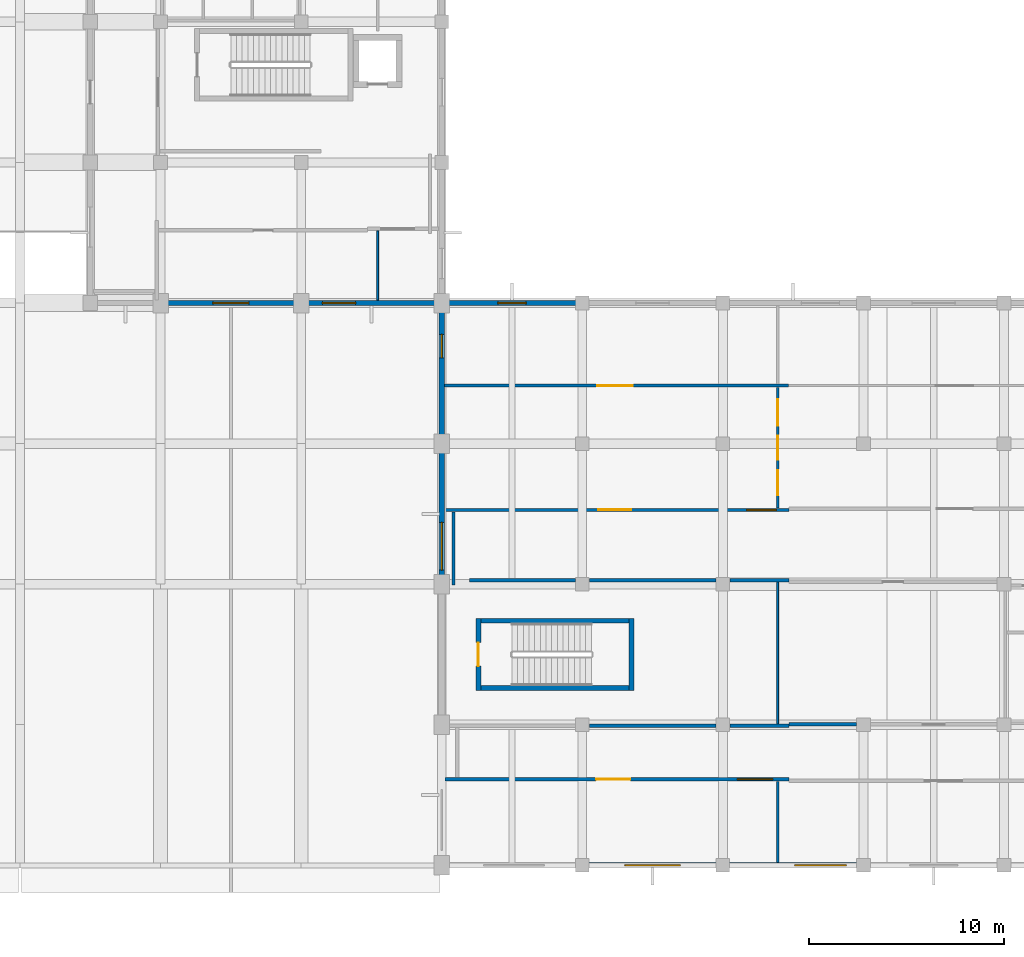
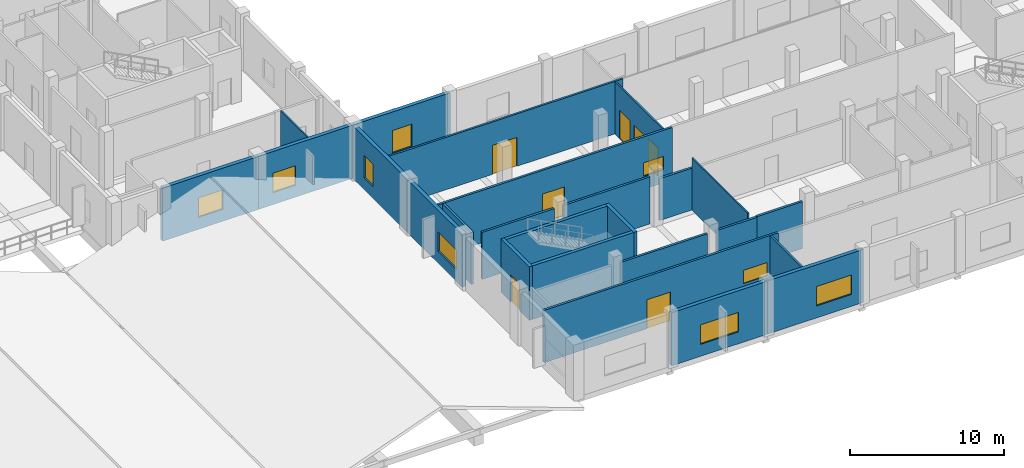
# One storey, part 9 of 24: 25 walls, 9 windows, 7 doors, 16 openings.
"""IFC4 building model written with IfcOpenShell, lengths in metres."""

from ifc_helpers import new_model, si_unit, direction, frame, frame_2d, origin, place, context, subcontext, project, spatial, rectangle, extrude, material, layer, layer_set, type_object, element, fill, save


model = new_model("IFC4")

# Units and contexts
model_context = context("Model", 3, precision=1e-05, world=origin(), true_north=direction((0.0, 1.0)))
body_context = subcontext(model_context, "Body", "Model", "MODEL_VIEW")
ifc_project = project(units=[si_unit("LENGTHUNIT", "METRE"), si_unit("AREAUNIT", "SQUARE_METRE"), si_unit("VOLUMEUNIT", "CUBIC_METRE"), si_unit("PLANEANGLEUNIT", "RADIAN"), si_unit("MASSUNIT", "GRAM", prefix="KILO")], contexts=[model_context])

# Site, building, storey
site_placement = place(None, origin())
site = spatial("IfcSite", under=ifc_project, at=site_placement, CompositionType="ELEMENT")
building_placement = place(site_placement, origin())
building = spatial("IfcBuilding", under=site, at=building_placement, Name="Seraya Terrace Polytechnic", CompositionType="ELEMENT")
storey_placement = place(building_placement, frame((0.0, 0.0, 18.89990234375)))
storey = spatial("IfcBuildingStorey", under=building, at=storey_placement, Name="L04", CompositionType="ELEMENT", Elevation=18.89990234375)

# Wall, opening, window
ifc_material_1 = material(Name="Precast concrete C40/50", Category="concrete")
ifc_layer_1 = layer(ifc_material_1, 0.280029296875, Name="EW-02")
ifc_layer_set_1 = layer_set([ifc_layer_1], Name="Precast concrete C40/50")
wall_type_1 = type_object("IfcWallType", Name="EW-02", PredefinedType="SOLIDWALL", material=ifc_layer_set_1)
wall_1_placement = place(storey_placement, frame((64.800048828125, 0.0, 0.0), z_axis=(0.0, 0.0, 1.0), x_axis=(-1.0, 0.0, 0.0)))
wall_1 = element("IfcWall", 1, at=wall_1_placement, inside=storey, type_object=wall_type_1, Name="Exterior structural wall EW-02 L04", PredefinedType="SOLIDWALL", context=body_context, shape_type="SweptSolid", body=[
    extrude(rectangle(XDim=7.199951171875, YDim=0.280029296875, at=frame_2d((3.60009765625, 0.0))), origin(), (0.0, 0.0, 1.0), 4.22021484375),
])
opening_1_placement = place(wall_1_placement, frame((0.8798828125, 0.0, 0.949951171875)))
opening_1 = element("IfcOpeningElement", 2, at=opening_1_placement, cuts=wall_1, Name="Opening WN-22", PredefinedType="OPENING", context=body_context, shape_type="SweptSolid", body=[
    extrude(rectangle(XDim=2.64990234375, YDim=1.550048828125, at=frame_2d((1.324951171875, 0.77490234375))), frame((0.0, 0.15185546875, 0.0), z_axis=(0.0, -1.0, 0.0), x_axis=(1.0, 0.0, 0.0)), (0.0, 0.0, 1.0), 0.303955078125),
])
ifc_material_2 = material(Name="Laminated solar-control Low-E double glazing", Category="glass")
window_type_1 = type_object("IfcWindowType", Name="WN-22", PartitioningType="SINGLE_PANEL", PredefinedType="WINDOW", material=ifc_material_2)
window_1_placement = place(opening_1_placement, origin())
window_1 = element("IfcWindow", 3, at=window_1_placement, inside=storey, type_object=window_type_1, Name="Exterior window WN-22 L04", OverallHeight=1.550048828125, OverallWidth=2.64990234375, PartitioningType="SINGLE_PANEL", PredefinedType="WINDOW", context=body_context, shape_type="SweptSolid", body=[
    extrude(rectangle(XDim=2.64990234375, YDim=1.550048828125, at=frame_2d((1.324951171875, 0.77490234375))), frame((0.0, 0.030029296875, 0.0), z_axis=(0.0, -1.0, 0.0), x_axis=(1.0, 0.0, 0.0)), (0.0, 0.0, 1.0), 0.06005859375),
])
fill(opening_1, window_1)

wall_2_placement = place(storey_placement, frame((57.60009765625, 0.0, 0.0), z_axis=(0.0, 0.0, 1.0), x_axis=(-1.0, 0.0, 0.0)))
wall_2 = element("IfcWall", 4, at=wall_2_placement, inside=storey, type_object=wall_type_1, Name="Exterior structural wall EW-02 L04", PredefinedType="SOLIDWALL", context=body_context, shape_type="SweptSolid", body=[
    extrude(rectangle(XDim=7.2001953125, YDim=0.280029296875, at=frame_2d((3.60009765625, 0.0))), origin(), (0.0, 0.0, 1.0), 4.22021484375),
])
opening_2_placement = place(wall_2_placement, frame((2.175048828125, 0.0, 0.949951171875)))
opening_2 = element("IfcOpeningElement", 5, at=opening_2_placement, cuts=wall_2, Name="Opening WN-23", PredefinedType="OPENING", context=body_context, shape_type="SweptSolid", body=[
    extrude(rectangle(XDim=2.85009765625, YDim=1.550048828125, at=frame_2d((1.425048828125, 0.77490234375))), frame((0.0, 0.15185546875, 0.0), z_axis=(0.0, -1.0, 0.0), x_axis=(1.0, 0.0, 0.0)), (0.0, 0.0, 1.0), 0.303955078125),
])
window_type_2 = type_object("IfcWindowType", Name="WN-23", PartitioningType="SINGLE_PANEL", PredefinedType="WINDOW", material=ifc_material_2)
window_2_placement = place(opening_2_placement, origin())
window_2 = element("IfcWindow", 6, at=window_2_placement, inside=storey, type_object=window_type_2, Name="Exterior window WN-23 L04", OverallHeight=1.550048828125, OverallWidth=2.85009765625, PartitioningType="SINGLE_PANEL", PredefinedType="WINDOW", context=body_context, shape_type="SweptSolid", body=[
    extrude(rectangle(XDim=2.85009765625, YDim=1.550048828125, at=frame_2d((1.425048828125, 0.77490234375))), frame((0.0, 0.030029296875, 0.0), z_axis=(0.0, -1.0, 0.0), x_axis=(1.0, 0.0, 0.0)), (0.0, 0.0, 1.0), 0.06005859375),
])
fill(opening_2, window_2)

wall_3_placement = place(storey_placement, frame((43.199951171875, 14.39990234375, 0.0), z_axis=(0.0, 0.0, 1.0), x_axis=(0.0, 1.0, 0.0)))
wall_3 = element("IfcWall", 7, at=wall_3_placement, inside=storey, type_object=wall_type_1, Name="Exterior structural wall EW-02 L04", PredefinedType="SOLIDWALL", context=body_context, shape_type="SweptSolid", body=[
    extrude(rectangle(XDim=7.2001953125, YDim=0.280029296875, at=frame_2d((3.60009765625, 0.0))), origin(), (0.0, 0.0, 1.0), 4.22021484375),
])
opening_3_placement = place(wall_3_placement, frame((0.715087890625, 0.0, 0.949951171875)))
opening_3 = element("IfcOpeningElement", 8, at=opening_3_placement, cuts=wall_3, Name="Opening WN-21", PredefinedType="OPENING", context=body_context, shape_type="SweptSolid", body=[
    extrude(rectangle(XDim=2.449951171875, YDim=1.550048828125, at=frame_2d((1.22509765625, 0.77490234375))), frame((0.0, 0.15185546875, 0.0), z_axis=(0.0, -1.0, 0.0), x_axis=(1.0, 0.0, 0.0)), (0.0, 0.0, 1.0), 0.303955078125),
])
window_type_3 = type_object("IfcWindowType", Name="WN-21", PartitioningType="SINGLE_PANEL", PredefinedType="WINDOW", material=ifc_material_2)
window_3_placement = place(opening_3_placement, origin())
window_3 = element("IfcWindow", 9, at=window_3_placement, inside=storey, type_object=window_type_3, Name="Exterior window WN-21 L04", OverallHeight=1.550048828125, OverallWidth=2.449951171875, PartitioningType="SINGLE_PANEL", PredefinedType="WINDOW", context=body_context, shape_type="SweptSolid", body=[
    extrude(rectangle(XDim=2.449951171875, YDim=1.550048828125, at=frame_2d((1.22509765625, 0.77490234375))), frame((0.0, 0.030029296875, 0.0), z_axis=(0.0, -1.0, 0.0), x_axis=(1.0, 0.0, 0.0)), (0.0, 0.0, 1.0), 0.06005859375),
])
fill(opening_3, window_3)

wall_4_placement = place(storey_placement, frame((43.199951171875, 21.60009765625, 0.0), z_axis=(0.0, 0.0, 1.0), x_axis=(0.0, 1.0, 0.0)))
wall_4 = element("IfcWall", 10, at=wall_4_placement, inside=storey, type_object=wall_type_1, Name="Exterior structural wall EW-02 L04", PredefinedType="SOLIDWALL", context=body_context, shape_type="SweptSolid", body=[
    extrude(rectangle(XDim=7.033935546875, YDim=0.280029296875, at=frame_2d((3.51708984375, 0.0))), origin(), (0.0, 0.0, 1.0), 4.22021484375),
])
opening_4_placement = place(wall_4_placement, frame((4.393798828125, 0.0, 0.949951171875)))
opening_4 = element("IfcOpeningElement", 11, at=opening_4_placement, cuts=wall_4, Name="Opening WN-27", PredefinedType="OPENING", context=body_context, shape_type="SweptSolid", body=[
    extrude(rectangle(XDim=1.199951171875, YDim=1.800048828125, at=frame_2d((0.60009765625, 0.89990234375))), frame((0.0, 0.15185546875, 0.0), z_axis=(0.0, -1.0, 0.0), x_axis=(1.0, 0.0, 0.0)), (0.0, 0.0, 1.0), 0.303955078125),
])
window_type_4 = type_object("IfcWindowType", Name="WN-27", PartitioningType="SINGLE_PANEL", PredefinedType="WINDOW", material=ifc_material_2)
window_4_placement = place(opening_4_placement, origin())
window_4 = element("IfcWindow", 12, at=window_4_placement, inside=storey, type_object=window_type_4, Name="Exterior window WN-27 L04", OverallHeight=1.800048828125, OverallWidth=1.199951171875, PartitioningType="SINGLE_PANEL", PredefinedType="WINDOW", context=body_context, shape_type="SweptSolid", body=[
    extrude(rectangle(XDim=1.199951171875, YDim=1.800048828125, at=frame_2d((0.60009765625, 0.89990234375))), frame((0.0, 0.030029296875, 0.0), z_axis=(0.0, -1.0, 0.0), x_axis=(1.0, 0.0, 0.0)), (0.0, 0.0, 1.0), 0.06005859375),
])
fill(opening_4, window_4)

wall_5_placement = place(storey_placement, frame((43.199951171875, 28.800048828125, 0.0), z_axis=(0.0, 0.0, 1.0), x_axis=(1.0, 0.0, 0.0)))
wall_5 = element("IfcWall", 13, at=wall_5_placement, inside=storey, type_object=wall_type_1, Name="Exterior structural wall EW-02 L04", PredefinedType="SOLIDWALL", context=body_context, shape_type="SweptSolid", body=[
    extrude(rectangle(XDim=7.199951171875, YDim=0.280029296875, at=frame_2d((3.60009765625, 0.0))), origin(), (0.0, 0.0, 1.0), 4.22021484375),
])
opening_5_placement = place(wall_5_placement, frame((2.875, 0.0, 0.949951171875)))
opening_5 = element("IfcOpeningElement", 14, at=opening_5_placement, cuts=wall_5, Name="Opening WN-28", PredefinedType="OPENING", context=body_context, shape_type="SweptSolid", body=[
    extrude(rectangle(XDim=1.449951171875, YDim=1.800048828125, at=frame_2d((0.72509765625, 0.89990234375))), frame((0.0, 0.15185546875, 0.0), z_axis=(0.0, -1.0, 0.0), x_axis=(1.0, 0.0, 0.0)), (0.0, 0.0, 1.0), 0.303955078125),
])
window_type_5 = type_object("IfcWindowType", Name="WN-28", PartitioningType="SINGLE_PANEL", PredefinedType="WINDOW", material=ifc_material_2)
window_5_placement = place(opening_5_placement, origin())
window_5 = element("IfcWindow", 15, at=window_5_placement, inside=storey, type_object=window_type_5, Name="Exterior window WN-28 L04", OverallHeight=1.800048828125, OverallWidth=1.449951171875, PartitioningType="SINGLE_PANEL", PredefinedType="WINDOW", context=body_context, shape_type="SweptSolid", body=[
    extrude(rectangle(XDim=1.449951171875, YDim=1.800048828125, at=frame_2d((0.72509765625, 0.89990234375))), frame((0.0, 0.030029296875, 0.0), z_axis=(0.0, -1.0, 0.0), x_axis=(1.0, 0.0, 0.0)), (0.0, 0.0, 1.0), 0.06005859375),
])
fill(opening_5, window_5)

wall_6_placement = place(storey_placement, frame((43.199951171875, 28.800048828125, 0.0), z_axis=(0.0, 0.0, 1.0), x_axis=(-1.0, 0.0, 0.0)))
wall_6 = element("IfcWall", 16, at=wall_6_placement, inside=storey, type_object=wall_type_1, Name="Exterior structural wall EW-02 L04", PredefinedType="SOLIDWALL", context=body_context, shape_type="SweptSolid", body=[
    extrude(rectangle(XDim=7.199951171875, YDim=0.280029296875, at=frame_2d((3.60009765625, 0.0))), origin(), (0.0, 0.0, 1.0), 4.22021484375),
])
opening_6_placement = place(wall_6_placement, frame((4.409912109375, 0.0, 0.949951171875)))
opening_6 = element("IfcOpeningElement", 17, at=opening_6_placement, cuts=wall_6, Name="Opening WN-17", PredefinedType="OPENING", context=body_context, shape_type="SweptSolid", body=[
    extrude(rectangle(XDim=1.699951171875, YDim=1.550048828125, at=frame_2d((0.85009765625, 0.77490234375))), frame((0.0, 0.15185546875, 0.0), z_axis=(0.0, -1.0, 0.0), x_axis=(1.0, 0.0, 0.0)), (0.0, 0.0, 1.0), 0.303955078125),
])
window_type_6 = type_object("IfcWindowType", Name="WN-17", PartitioningType="SINGLE_PANEL", PredefinedType="WINDOW", material=ifc_material_2)
window_6_placement = place(opening_6_placement, origin())
window_6 = element("IfcWindow", 18, at=window_6_placement, inside=storey, type_object=window_type_6, Name="Exterior window WN-17 L04", OverallHeight=1.550048828125, OverallWidth=1.699951171875, PartitioningType="SINGLE_PANEL", PredefinedType="WINDOW", context=body_context, shape_type="SweptSolid", body=[
    extrude(rectangle(XDim=1.699951171875, YDim=1.550048828125, at=frame_2d((0.85009765625, 0.77490234375))), frame((0.0, 0.030029296875, 0.0), z_axis=(0.0, -1.0, 0.0), x_axis=(1.0, 0.0, 0.0)), (0.0, 0.0, 1.0), 0.06005859375),
])
fill(opening_6, window_6)

wall_7_placement = place(storey_placement, frame((36.0, 28.800048828125, 0.0), z_axis=(0.0, 0.0, 1.0), x_axis=(-1.0, 0.0, 0.0)))
wall_7 = element("IfcWall", 19, at=wall_7_placement, inside=storey, type_object=wall_type_1, Name="Exterior structural wall EW-02 L04", PredefinedType="SOLIDWALL", context=body_context, shape_type="SweptSolid", body=[
    extrude(rectangle(XDim=7.199951171875, YDim=0.280029296875, at=frame_2d((3.60009765625, 0.0))), origin(), (0.0, 0.0, 1.0), 4.22021484375),
])
opening_7_placement = place(wall_7_placement, frame((2.675048828125, 0.0, 0.949951171875)))
opening_7 = element("IfcOpeningElement", 20, at=opening_7_placement, cuts=wall_7, Name="Opening WN-18", PredefinedType="OPENING", context=body_context, shape_type="SweptSolid", body=[
    extrude(rectangle(XDim=1.85009765625, YDim=1.550048828125, at=frame_2d((0.925048828125, 0.77490234375))), frame((0.0, 0.15185546875, 0.0), z_axis=(0.0, -1.0, 0.0), x_axis=(1.0, 0.0, 0.0)), (0.0, 0.0, 1.0), 0.303955078125),
])
window_type_7 = type_object("IfcWindowType", Name="WN-18", PartitioningType="SINGLE_PANEL", PredefinedType="WINDOW", material=ifc_material_2)
window_7_placement = place(opening_7_placement, origin())
window_7 = element("IfcWindow", 21, at=window_7_placement, inside=storey, type_object=window_type_7, Name="Exterior window WN-18 L04", OverallHeight=1.550048828125, OverallWidth=1.85009765625, PartitioningType="SINGLE_PANEL", PredefinedType="WINDOW", context=body_context, shape_type="SweptSolid", body=[
    extrude(rectangle(XDim=1.85009765625, YDim=1.550048828125, at=frame_2d((0.925048828125, 0.77490234375))), frame((0.0, 0.030029296875, 0.0), z_axis=(0.0, -1.0, 0.0), x_axis=(1.0, 0.0, 0.0)), (0.0, 0.0, 1.0), 0.06005859375),
])
fill(opening_7, window_7)

# Wall, openings, door, window
ifc_material_3 = material(Name="Autoclaved aerated concrete blockwork", Category="masonry")
ifc_layer_2 = layer(ifc_material_3, 0.169921875, Name="PT-02")
ifc_layer_set_2 = layer_set([ifc_layer_2], Name="Autoclaved aerated concrete blockwork")
wall_type_2 = type_object("IfcWallType", Name="PT-02", PredefinedType="PARTITIONING", material=ifc_layer_set_2)
wall_8_placement = place(storey_placement, frame((43.35205078125, 18.199951171875, 0.0), z_axis=(0.0, 0.0, 1.0), x_axis=(1.0, 0.0, 0.0)))
wall_8 = element("IfcWall", 22, at=wall_8_placement, inside=storey, type_object=wall_type_2, Name="Internal partition PT-02 L04", PredefinedType="PARTITIONING", context=body_context, shape_type="SweptSolid", body=[
    extrude(rectangle(XDim=17.62939453125, YDim=0.169921875, at=frame_2d((8.814697265625, 0.0))), origin(), (0.0, 0.0, 1.0), 4.16015625),
])
opening_8_placement = place(wall_8_placement, frame((7.870849609375, 0.0, 0.0)))
opening_8 = element("IfcOpeningElement", 23, at=opening_8_placement, cuts=wall_8, Name="Opening ID-13", PredefinedType="OPENING", context=body_context, shape_type="SweptSolid", body=[
    extrude(rectangle(XDim=1.679931640625, YDim=2.280029296875, at=frame_2d((0.83984375, 1.14013671875))), frame((0.0, 0.096923828125, 0.0), z_axis=(0.0, -1.0, 0.0), x_axis=(1.0, 0.0, 0.0)), (0.0, 0.0, 1.0), 0.19384765625),
])
opening_9_placement = place(wall_8_placement, frame((15.471435546875, 0.0, 1.050048828125)))
opening_9 = element("IfcOpeningElement", 24, at=opening_9_placement, cuts=wall_8, Name="Opening IW-01", PredefinedType="OPENING", context=body_context, shape_type="SweptSolid", body=[
    extrude(rectangle(XDim=1.5, YDim=1.050048828125, at=frame_2d((0.75, 0.52490234375))), frame((0.0, 0.096923828125, 0.0), z_axis=(0.0, -1.0, 0.0), x_axis=(1.0, 0.0, 0.0)), (0.0, 0.0, 1.0), 0.19384765625),
])
ifc_material_4 = material(Name="Malaysian dark red meranti hardwood timber D40", Category="wood")
door_type_1 = type_object("IfcDoorType", Name="ID-13", OperationType="DOUBLE_DOOR_SINGLE_SWING", PredefinedType="DOOR", material=ifc_material_4)
door_1_placement = place(opening_8_placement, origin())
door_1 = element("IfcDoor", 25, at=door_1_placement, inside=storey, type_object=door_type_1, Name="Door ID-13 DR-INT-L04-0218 in WL-INT-L04-0628", OperationType="DOUBLE_DOOR_SINGLE_SWING", OverallHeight=2.280029296875, OverallWidth=1.679931640625, PredefinedType="DOOR", context=body_context, shape_type="SweptSolid", body=[
    extrude(rectangle(XDim=1.679931640625, YDim=2.280029296875, at=frame_2d((0.83984375, 1.14013671875))), frame((0.0, 0.02490234375, 0.0), z_axis=(0.0, -1.0, 0.0), x_axis=(1.0, 0.0, 0.0)), (0.0, 0.0, 1.0), 0.050048828125),
])
fill(opening_8, door_1)
window_type_8 = type_object("IfcWindowType", Name="IW-01", PartitioningType="SINGLE_PANEL", PredefinedType="WINDOW", material=ifc_material_2)
window_8_placement = place(opening_9_placement, origin())
window_8 = element("IfcWindow", 26, at=window_8_placement, inside=storey, type_object=window_type_8, Name="Internal lab vision window IW-01 L04", OverallHeight=1.050048828125, OverallWidth=1.5, PartitioningType="SINGLE_PANEL", PredefinedType="WINDOW", context=body_context, shape_type="SweptSolid", body=[
    extrude(rectangle(XDim=1.5, YDim=1.050048828125, at=frame_2d((0.75, 0.52490234375))), frame((0.0, 0.030029296875, 0.0), z_axis=(0.0, -1.0, 0.0), x_axis=(1.0, 0.0, 0.0)), (0.0, 0.0, 1.0), 0.06005859375),
])
fill(opening_9, window_8)

# Walls
wall_9_placement = place(storey_placement, frame((50.760009765625, 14.60009765625, 0.0), z_axis=(0.0, 0.0, 1.0), x_axis=(1.0, 0.0, 0.0)))
element("IfcWall", 27, at=wall_9_placement, inside=storey, type_object=wall_type_2, Name="Internal partition PT-02 L04", PredefinedType="PARTITIONING", context=body_context, shape_type="SweptSolid", body=[
    extrude(rectangle(XDim=6.47998046875, YDim=0.169921875, at=frame_2d((3.239990234375, 0.0))), origin(), (0.0, 0.0, 1.0), 3.72998046875),
])
wall_10_placement = place(storey_placement, frame((44.618408203125, 14.60009765625, 0.0), z_axis=(0.0, 0.0, 1.0), x_axis=(1.0, 0.0, 0.0)))
element("IfcWall", 28, at=wall_10_placement, inside=storey, type_object=wall_type_2, Name="Internal partition PT-02 L04", PredefinedType="PARTITIONING", context=body_context, shape_type="SweptSolid", body=[
    extrude(rectangle(XDim=5.421630859375, YDim=0.169921875, at=frame_2d((2.7109375, 0.0))), origin(), (0.0, 0.0, 1.0), 3.72998046875),
])
wall_11_placement = place(storey_placement, frame((57.9599609375, 14.60009765625, 0.0), z_axis=(0.0, 0.0, 1.0), x_axis=(1.0, 0.0, 0.0)))
element("IfcWall", 29, at=wall_11_placement, inside=storey, type_object=wall_type_2, Name="Internal partition PT-02 L04", PredefinedType="PARTITIONING", context=body_context, shape_type="SweptSolid", body=[
    extrude(rectangle(XDim=3.021484375, YDim=0.169921875, at=frame_2d((1.5107421875, 0.0))), origin(), (0.0, 0.0, 1.0), 3.330078125),
])
wall_12_placement = place(storey_placement, frame((43.800048828125, 14.360107421875, 0.0), z_axis=(0.0, 0.0, 1.0), x_axis=(0.0, 1.0, 0.0)))
element("IfcWall", 30, at=wall_12_placement, inside=storey, type_object=wall_type_2, Name="Internal partition PT-02 L04", PredefinedType="PARTITIONING", context=body_context, shape_type="SweptSolid", body=[
    extrude(rectangle(XDim=3.739990234375, YDim=0.169921875, at=frame_2d((1.8701171875, 0.0))), origin(), (0.0, 0.0, 1.0), 4.16015625),
])
wall_13_placement = place(storey_placement, frame((50.760009765625, 7.14990234375, 0.0), z_axis=(0.0, 0.0, 1.0), x_axis=(1.0, 0.0, 0.0)))
element("IfcWall", 31, at=wall_13_placement, inside=storey, type_object=wall_type_2, Name="Internal partition PT-02 L04", PredefinedType="PARTITIONING", context=body_context, shape_type="SweptSolid", body=[
    extrude(rectangle(XDim=6.47998046875, YDim=0.169921875, at=frame_2d((3.239990234375, 0.0))), origin(), (0.0, 0.0, 1.0), 3.72998046875),
])
wall_14_placement = place(storey_placement, frame((57.9599609375, 7.14990234375, 0.0), z_axis=(0.0, 0.0, 1.0), x_axis=(1.0, 0.0, 0.0)))
element("IfcWall", 32, at=wall_14_placement, inside=storey, type_object=wall_type_2, Name="Internal partition PT-02 L04", PredefinedType="PARTITIONING", context=body_context, shape_type="SweptSolid", body=[
    extrude(rectangle(XDim=3.021484375, YDim=0.169921875, at=frame_2d((1.5107421875, 0.0))), origin(), (0.0, 0.0, 1.0), 3.72998046875),
])

# Wall, openings, door, window
wall_15_placement = place(storey_placement, frame((43.376953125, 4.39990234375, 0.0), z_axis=(0.0, 0.0, 1.0), x_axis=(1.0, 0.0, 0.0)))
wall_15 = element("IfcWall", 33, at=wall_15_placement, inside=storey, type_object=wall_type_2, Name="Internal partition PT-02 L04", PredefinedType="PARTITIONING", context=body_context, shape_type="SweptSolid", body=[
    extrude(rectangle(XDim=17.6044921875, YDim=0.169921875, at=frame_2d((8.80224609375, 0.0))), origin(), (0.0, 0.0, 1.0), 4.16015625),
])
opening_10_placement = place(wall_15_placement, frame((7.730712890625, 0.0, 0.0)))
opening_10 = element("IfcOpeningElement", 34, at=opening_10_placement, cuts=wall_15, Name="Opening ID-14", PredefinedType="OPENING", context=body_context, shape_type="SweptSolid", body=[
    extrude(rectangle(XDim=1.760009765625, YDim=2.300048828125, at=frame_2d((0.8798828125, 1.14990234375))), frame((0.0, 0.096923828125, 0.0), z_axis=(0.0, -1.0, 0.0), x_axis=(1.0, 0.0, 0.0)), (0.0, 0.0, 1.0), 0.19384765625),
])
opening_11_placement = place(wall_15_placement, frame((14.971435546875, 0.0, 1.050048828125)))
opening_11 = element("IfcOpeningElement", 35, at=opening_11_placement, cuts=wall_15, Name="Opening IW-02", PredefinedType="OPENING", context=body_context, shape_type="SweptSolid", body=[
    extrude(rectangle(XDim=1.800048828125, YDim=1.050048828125, at=frame_2d((0.89990234375, 0.52490234375))), frame((0.0, 0.096923828125, 0.0), z_axis=(0.0, -1.0, 0.0), x_axis=(1.0, 0.0, 0.0)), (0.0, 0.0, 1.0), 0.19384765625),
])
door_type_2 = type_object("IfcDoorType", Name="ID-14", OperationType="DOUBLE_DOOR_SINGLE_SWING", PredefinedType="DOOR", material=ifc_material_4)
door_2_placement = place(opening_10_placement, frame((1.760009765625, 0.0, 0.0), z_axis=(0.0, 0.0, 1.0), x_axis=(-1.0, 0.0, 0.0)))
door_2 = element("IfcDoor", 36, at=door_2_placement, inside=storey, type_object=door_type_2, Name="Door ID-14 DR-INT-L04-0219 in WL-INT-L04-0655", OperationType="DOUBLE_DOOR_SINGLE_SWING", OverallHeight=2.300048828125, OverallWidth=1.760009765625, PredefinedType="DOOR", context=body_context, shape_type="SweptSolid", body=[
    extrude(rectangle(XDim=1.760009765625, YDim=2.300048828125, at=frame_2d((0.8798828125, 1.14990234375))), frame((0.0, 0.02490234375, 0.0), z_axis=(0.0, -1.0, 0.0), x_axis=(1.0, 0.0, 0.0)), (0.0, 0.0, 1.0), 0.050048828125),
])
fill(opening_10, door_2)
window_type_9 = type_object("IfcWindowType", Name="IW-02", PartitioningType="SINGLE_PANEL", PredefinedType="WINDOW", material=ifc_material_2)
window_9_placement = place(opening_11_placement, origin())
window_9 = element("IfcWindow", 37, at=window_9_placement, inside=storey, type_object=window_type_9, Name="Internal lab vision window IW-02 L04", OverallHeight=1.050048828125, OverallWidth=1.800048828125, PartitioningType="SINGLE_PANEL", PredefinedType="WINDOW", context=body_context, shape_type="SweptSolid", body=[
    extrude(rectangle(XDim=1.800048828125, YDim=1.050048828125, at=frame_2d((0.89990234375, 0.52490234375))), frame((0.0, 0.030029296875, 0.0), z_axis=(0.0, -1.0, 0.0), x_axis=(1.0, 0.0, 0.0)), (0.0, 0.0, 1.0), 0.06005859375),
])
fill(opening_11, window_9)

# Wall
wall_16_placement = place(storey_placement, frame((60.9814453125, 7.219970703125, 0.0), z_axis=(0.0, 0.0, 1.0), x_axis=(1.0, 0.0, 0.0)))
element("IfcWall", 38, at=wall_16_placement, inside=storey, type_object=wall_type_2, Name="Internal partition PT-02 L04", PredefinedType="PARTITIONING", context=body_context, shape_type="SweptSolid", body=[
    extrude(rectangle(XDim=3.45849609375, YDim=0.169921875, at=frame_2d((1.729248046875, 0.0))), origin(), (0.0, 0.0, 1.0), 3.72998046875),
])

# Wall, opening, door
ifc_layer_3 = layer(ifc_material_3, 0.14990234375, Name="PT-03")
ifc_layer_set_3 = layer_set([ifc_layer_3], Name="Autoclaved aerated concrete blockwork")
wall_type_3 = type_object("IfcWallType", Name="PT-03", PredefinedType="PARTITIONING", material=ifc_layer_set_3)
wall_17_placement = place(storey_placement, frame((43.35205078125, 24.5732421875, 0.0), z_axis=(0.0, 0.0, 1.0), x_axis=(1.0, 0.0, 0.0)))
wall_17 = element("IfcWall", 39, at=wall_17_placement, inside=storey, type_object=wall_type_3, Name="Internal partition PT-03 L04", PredefinedType="PARTITIONING", context=body_context, shape_type="SweptSolid", body=[
    extrude(rectangle(XDim=17.617919921875, YDim=0.14990234375, at=frame_2d((8.80908203125, 0.0))), origin(), (0.0, 0.0, 1.0), 4.16015625),
])
opening_12_placement = place(wall_17_placement, frame((7.804931640625, 0.0, 0.0)))
opening_12 = element("IfcOpeningElement", 40, at=opening_12_placement, cuts=wall_17, Name="Opening ID-15", PredefinedType="OPENING", context=body_context, shape_type="SweptSolid", body=[
    extrude(rectangle(XDim=1.840087890625, YDim=2.300048828125, at=frame_2d((0.919921875, 1.14990234375))), frame((0.0, 0.0869140625, 0.0), z_axis=(0.0, -1.0, 0.0), x_axis=(1.0, 0.0, 0.0)), (0.0, 0.0, 1.0), 0.173828125),
])
door_type_3 = type_object("IfcDoorType", Name="ID-15", OperationType="DOUBLE_DOOR_SINGLE_SWING", PredefinedType="DOOR", material=ifc_material_4)
door_3_placement = place(opening_12_placement, origin())
door_3 = element("IfcDoor", 41, at=door_3_placement, inside=storey, type_object=door_type_3, Name="Door ID-15 DR-INT-L04-0236 in WL-INT-L04-0682", OperationType="DOUBLE_DOOR_SINGLE_SWING", OverallHeight=2.300048828125, OverallWidth=1.840087890625, PredefinedType="DOOR", context=body_context, shape_type="SweptSolid", body=[
    extrude(rectangle(XDim=1.840087890625, YDim=2.300048828125, at=frame_2d((0.919921875, 1.14990234375))), frame((0.0, 0.02490234375, 0.0), z_axis=(0.0, -1.0, 0.0), x_axis=(1.0, 0.0, 0.0)), (0.0, 0.0, 1.0), 0.050048828125),
])
fill(opening_12, door_3)

# Wall
wall_18_placement = place(storey_placement, frame((60.409912109375, 0.152099609375, 0.0), z_axis=(0.0, 0.0, 1.0), x_axis=(0.0, 1.0, 0.0)))
element("IfcWall", 42, at=wall_18_placement, inside=storey, type_object=wall_type_3, Name="Internal partition PT-03 L04", PredefinedType="PARTITIONING", context=body_context, shape_type="SweptSolid", body=[
    extrude(rectangle(XDim=4.14794921875, YDim=0.14990234375, at=frame_2d((2.073974609375, 0.0))), origin(), (0.0, 0.0, 1.0), 4.16015625),
])

# Wall, openings, doors
ifc_layer_4 = layer(ifc_material_3, 0.1201171875, Name="PT-05")
ifc_layer_set_4 = layer_set([ifc_layer_4], Name="Autoclaved aerated concrete blockwork")
wall_type_4 = type_object("IfcWallType", Name="PT-05", PredefinedType="PARTITIONING", material=ifc_layer_set_4)
wall_19_placement = place(storey_placement, frame((60.409912109375, 18.300048828125, 0.0), z_axis=(0.0, 0.0, 1.0), x_axis=(0.0, 1.0, 0.0)))
wall_19 = element("IfcWall", 43, at=wall_19_placement, inside=storey, type_object=wall_type_4, Name="Internal partition PT-05 L04", PredefinedType="PARTITIONING", context=body_context, shape_type="SweptSolid", body=[
    extrude(rectangle(XDim=6.183349609375, YDim=0.1201171875, at=frame_2d((3.091796875, 0.0))), origin(), (0.0, 0.0, 1.0), 4.16015625),
])
opening_13_placement = place(wall_19_placement, frame((2.481689453125, 0.0, 0.0)))
opening_13 = element("IfcOpeningElement", 44, at=opening_13_placement, cuts=wall_19, Name="Opening ID-07", PredefinedType="OPENING", context=body_context, shape_type="SweptSolid", body=[
    extrude(rectangle(XDim=1.219970703125, YDim=2.219970703125, at=frame_2d((0.60986328125, 1.10986328125))), frame((0.0, 0.072021484375, 0.0), z_axis=(0.0, -1.0, 0.0), x_axis=(1.0, 0.0, 0.0)), (0.0, 0.0, 1.0), 0.14404296875),
])
opening_14_placement = place(wall_19_placement, frame((0.651611328125, 0.0, 0.0)))
opening_14 = element("IfcOpeningElement", 45, at=opening_14_placement, cuts=wall_19, Name="Opening ID-08", PredefinedType="OPENING", context=body_context, shape_type="SweptSolid", body=[
    extrude(rectangle(XDim=1.280029296875, YDim=2.219970703125, at=frame_2d((0.64013671875, 1.10986328125))), frame((0.0, 0.072021484375, 0.0), z_axis=(0.0, -1.0, 0.0), x_axis=(1.0, 0.0, 0.0)), (0.0, 0.0, 1.0), 0.14404296875),
])
opening_15_placement = place(wall_19_placement, frame((4.2216796875, 0.0, 0.0)))
opening_15 = element("IfcOpeningElement", 46, at=opening_15_placement, cuts=wall_19, Name="Opening ID-09", PredefinedType="OPENING", context=body_context, shape_type="SweptSolid", body=[
    extrude(rectangle(XDim=1.340087890625, YDim=2.239990234375, at=frame_2d((0.669921875, 1.1201171875))), frame((0.0, 0.072021484375, 0.0), z_axis=(0.0, -1.0, 0.0), x_axis=(1.0, 0.0, 0.0)), (0.0, 0.0, 1.0), 0.14404296875),
])
door_type_4 = type_object("IfcDoorType", Name="ID-07", OperationType="NOTDEFINED", PredefinedType="DOOR", material=ifc_material_4)
door_4_placement = place(opening_13_placement, origin())
door_4 = element("IfcDoor", 47, at=door_4_placement, inside=storey, type_object=door_type_4, Name="Door ID-07 DR-INT-L04-0244 in WL-INT-L04-0683", OperationType="SINGLE_SWING_LEFT", OverallHeight=2.219970703125, OverallWidth=1.219970703125, PredefinedType="DOOR", context=body_context, shape_type="SweptSolid", body=[
    extrude(rectangle(XDim=1.219970703125, YDim=2.219970703125, at=frame_2d((0.60986328125, 1.10986328125))), frame((0.0, 0.02490234375, 0.0), z_axis=(0.0, -1.0, 0.0), x_axis=(1.0, 0.0, 0.0)), (0.0, 0.0, 1.0), 0.050048828125),
])
fill(opening_13, door_4)
door_type_5 = type_object("IfcDoorType", Name="ID-08", OperationType="NOTDEFINED", PredefinedType="DOOR", material=ifc_material_4)
door_5_placement = place(opening_14_placement, frame((1.280029296875, 0.0, 0.0), z_axis=(0.0, 0.0, 1.0), x_axis=(-1.0, 0.0, 0.0)))
door_5 = element("IfcDoor", 48, at=door_5_placement, inside=storey, type_object=door_type_5, Name="Door ID-08 DR-INT-L04-0245 in WL-INT-L04-0683", OperationType="SINGLE_SWING_RIGHT", OverallHeight=2.219970703125, OverallWidth=1.280029296875, PredefinedType="DOOR", context=body_context, shape_type="SweptSolid", body=[
    extrude(rectangle(XDim=1.280029296875, YDim=2.219970703125, at=frame_2d((0.64013671875, 1.10986328125))), frame((0.0, 0.02490234375, 0.0), z_axis=(0.0, -1.0, 0.0), x_axis=(1.0, 0.0, 0.0)), (0.0, 0.0, 1.0), 0.050048828125),
])
fill(opening_14, door_5)
door_type_6 = type_object("IfcDoorType", Name="ID-09", OperationType="NOTDEFINED", PredefinedType="DOOR", material=ifc_material_4)
door_6_placement = place(opening_15_placement, origin())
door_6 = element("IfcDoor", 49, at=door_6_placement, inside=storey, type_object=door_type_6, Name="Door ID-09 DR-INT-L04-0246 in WL-INT-L04-0683", OperationType="SINGLE_SWING_LEFT", OverallHeight=2.239990234375, OverallWidth=1.340087890625, PredefinedType="DOOR", context=body_context, shape_type="SweptSolid", body=[
    extrude(rectangle(XDim=1.340087890625, YDim=2.239990234375, at=frame_2d((0.669921875, 1.1201171875))), frame((0.0, 0.02490234375, 0.0), z_axis=(0.0, -1.0, 0.0), x_axis=(1.0, 0.0, 0.0)), (0.0, 0.0, 1.0), 0.050048828125),
])
fill(opening_15, door_6)

# Walls
ifc_layer_5 = layer(ifc_material_3, 0.10009765625, Name="PT-06")
ifc_layer_set_5 = layer_set([ifc_layer_5], Name="Autoclaved aerated concrete blockwork")
wall_type_5 = type_object("IfcWallType", Name="PT-06", PredefinedType="PARTITIONING", material=ifc_layer_set_5)
wall_20_placement = place(storey_placement, frame((60.409912109375, 7.25, 0.0), z_axis=(0.0, 0.0, 1.0), x_axis=(0.0, 1.0, 0.0)))
element("IfcWall", 50, at=wall_20_placement, inside=storey, type_object=wall_type_5, Name="Internal partition PT-06 L04", PredefinedType="PARTITIONING", context=body_context, shape_type="SweptSolid", body=[
    extrude(rectangle(XDim=7.25, YDim=0.10009765625, at=frame_2d((3.625, 0.0))), origin(), (0.0, 0.0, 1.0), 4.16015625),
])
wall_21_placement = place(storey_placement, frame((39.919921875, 28.951904296875, 0.0), z_axis=(0.0, 0.0, 1.0), x_axis=(0.0, 1.0, 0.0)))
element("IfcWall", 51, at=wall_21_placement, inside=storey, type_object=wall_type_5, Name="Internal partition PT-06 L04", PredefinedType="PARTITIONING", context=body_context, shape_type="SweptSolid", body=[
    extrude(rectangle(XDim=3.548095703125, YDim=0.10009765625, at=frame_2d((1.77392578125, 0.0))), origin(), (0.0, 0.0, 1.0), 4.16015625),
])

# Wall, opening, door
ifc_material_5 = material(Name="Concrete C40/50", Category="concrete")
ifc_layer_6 = layer(ifc_material_5, 0.25, Name="SW-02")
ifc_layer_set_6 = layer_set([ifc_layer_6], Name="Concrete C40/50")
wall_type_6 = type_object("IfcWallType", Name="SW-02", PredefinedType="SHEAR", material=ifc_layer_set_6)
wall_22_placement = place(storey_placement, frame((45.074951171875, 8.949951171875, 0.0), z_axis=(0.0, 0.0, 1.0), x_axis=(0.0, 1.0, 0.0)))
wall_22 = element("IfcWall", 52, at=wall_22_placement, inside=storey, type_object=wall_type_6, Name="Stairwell ST-03 West wall L04", PredefinedType="SHEAR", context=body_context, shape_type="SweptSolid", body=[
    extrude(rectangle(XDim=3.699951171875, YDim=0.25, at=frame_2d((1.85009765625, 0.0))), origin(), (0.0, 0.0, 1.0), 4.25),
])
opening_16_placement = place(wall_22_placement, frame((1.25, 0.0, 0.0)))
opening_16 = element("IfcOpeningElement", 53, at=opening_16_placement, cuts=wall_22, Name="Opening FD-01", PredefinedType="OPENING", context=body_context, shape_type="SweptSolid", body=[
    extrude(rectangle(XDim=1.199951171875, YDim=2.14990234375, at=frame_2d((0.60009765625, 1.074951171875))), frame((0.0, 0.136962890625, 0.0), z_axis=(0.0, -1.0, 0.0), x_axis=(1.0, 0.0, 0.0)), (0.0, 0.0, 1.0), 0.27392578125),
])
ifc_material_6 = material(Name="Steel S355J2", Category="steel")
door_type_7 = type_object("IfcDoorType", Name="FD-01", OperationType="NOTDEFINED", PredefinedType="DOOR", material=ifc_material_6)
door_7_placement = place(opening_16_placement, frame((1.199951171875, 0.0, 0.0), z_axis=(0.0, 0.0, 1.0), x_axis=(-1.0, 0.0, 0.0)))
door_7 = element("IfcDoor", 54, at=door_7_placement, inside=storey, type_object=door_type_7, Name="Door FD-01 DR-STR-ST-03-L04 in WL-STR-ST-03-L04-W", OperationType="SINGLE_SWING_RIGHT", OverallHeight=2.14990234375, OverallWidth=1.199951171875, PredefinedType="DOOR", context=body_context, shape_type="SweptSolid", body=[
    extrude(rectangle(XDim=1.199951171875, YDim=2.14990234375, at=frame_2d((0.60009765625, 1.074951171875))), frame((0.0, 0.02490234375, 0.0), z_axis=(0.0, -1.0, 0.0), x_axis=(1.0, 0.0, 0.0)), (0.0, 0.0, 1.0), 0.050048828125),
])
fill(opening_16, door_7)

# Walls
wall_23_placement = place(storey_placement, frame((52.925048828125, 8.949951171875, 0.0), z_axis=(0.0, 0.0, 1.0), x_axis=(0.0, 1.0, 0.0)))
element("IfcWall", 55, at=wall_23_placement, inside=storey, type_object=wall_type_6, Name="Stairwell ST-03 East wall L04", PredefinedType="SHEAR", context=body_context, shape_type="SweptSolid", body=[
    extrude(rectangle(XDim=3.699951171875, YDim=0.25, at=frame_2d((1.85009765625, 0.0))), origin(), (0.0, 0.0, 1.0), 4.25),
])
for number, where, z_axis, x_axis, name in (
    (56, (45.199951171875, 9.074951171875, 0.0), (0.0, 0.0, 1.0), (1.0, 0.0, 0.0), "Stairwell ST-03 South wall L04"),
    (57, (45.199951171875, 12.52490234375, 0.0), (0.0, 0.0, 1.0), (1.0, 0.0, 0.0), "Stairwell ST-03 North wall L04"),
):
    element("IfcWall", number, at=place(storey_placement, frame(where, z_axis=z_axis, x_axis=x_axis)), inside=storey, type_object=wall_type_6, Name=name, PredefinedType="SHEAR", context=body_context, shape_type="SweptSolid", body=[
        extrude(rectangle(XDim=7.60009765625, YDim=0.25, at=frame_2d((3.800048828125, 0.0))), origin(), (0.0, 0.0, 1.0), 4.25),
    ])

save(model, "model.ifc")
